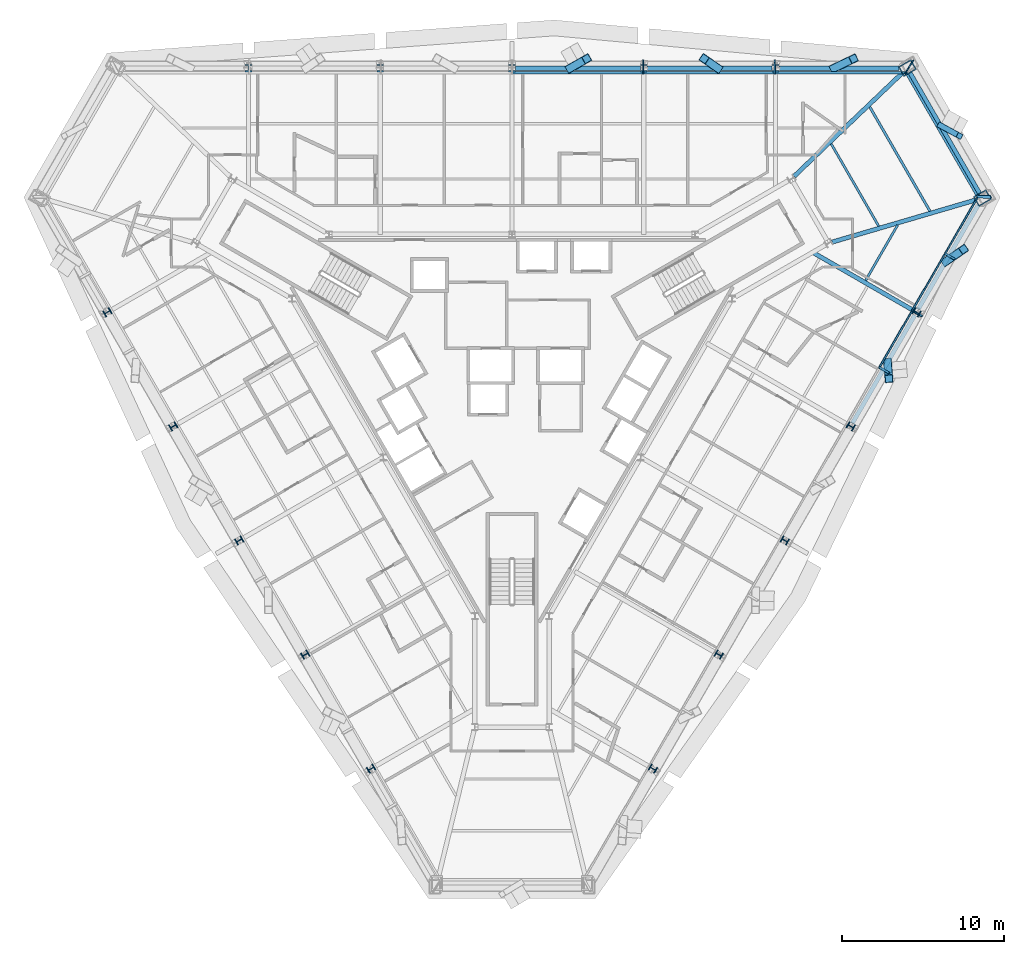
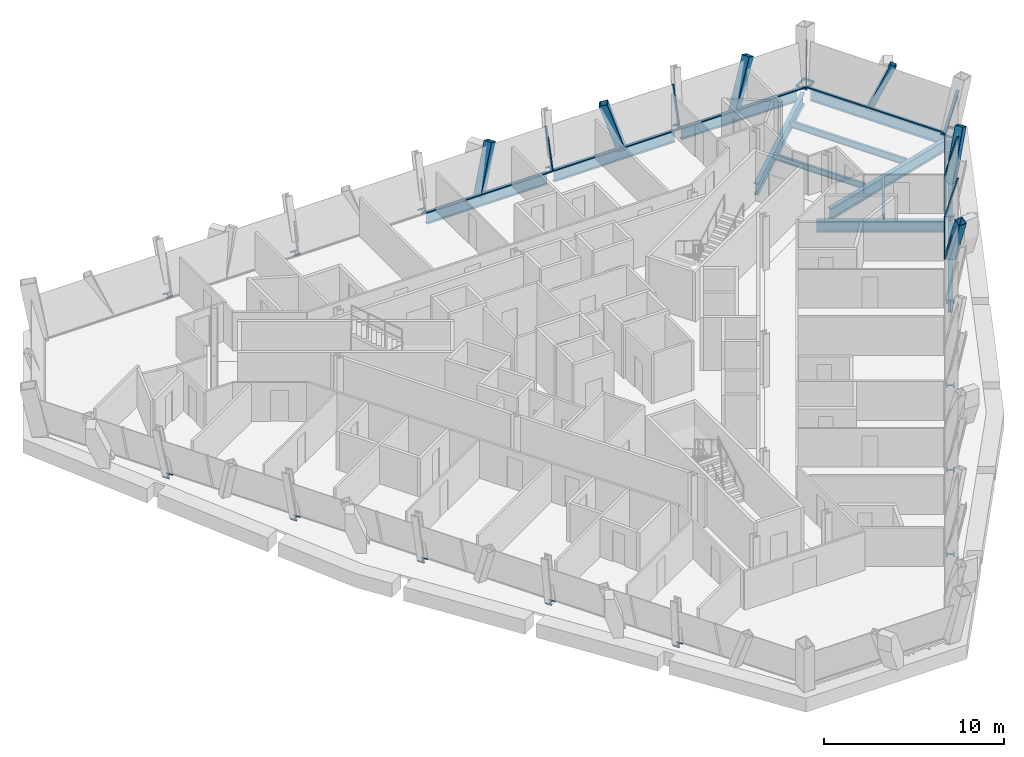
# One storey, part 6 of 14: 37 members, 12 beams, 3 elements without a shape of their own.
"""IFC4 building model written with IfcOpenShell, lengths in metres."""

from ifc_helpers import new_model, si_unit, direction, frame, origin, origin_2d, place, context, subcontext, project, spatial, rectangle, hollow_rectangle, i_section, extrude, material, material_profile, profile_set, type_object, element, aggregate, save


model = new_model("IFC4")

# Units and contexts
model_context = context("Model", 3, precision=1e-05, world=origin(), true_north=direction((0.0, 1.0)))
body_context = subcontext(model_context, "Body", "Model", "MODEL_VIEW")
ifc_project = project(units=[si_unit("LENGTHUNIT", "METRE"), si_unit("AREAUNIT", "SQUARE_METRE"), si_unit("VOLUMEUNIT", "CUBIC_METRE"), si_unit("PLANEANGLEUNIT", "RADIAN"), si_unit("MASSUNIT", "GRAM", prefix="KILO")], contexts=[model_context])

# Site, building, storey
site_placement = place(None, origin())
site = spatial("IfcSite", under=ifc_project, at=site_placement, CompositionType="ELEMENT")
building_placement = place(site_placement, origin())
building = spatial("IfcBuilding", under=site, at=building_placement, Name="Verrane Prism Tower", CompositionType="ELEMENT")
storey_placement = place(building_placement, frame((0.0, 0.0, 128.800048828125)))
storey = spatial("IfcBuildingStorey", under=building, at=storey_placement, Name="L31", CompositionType="ELEMENT", Elevation=128.800048828125)

# Member
ifc_material_1 = material(Name="Steel A500 Grade C", Category="steel")
ifc_material_profile_1 = material_profile(ifc_material_1, hollow_rectangle(XDim=0.355712890625, YDim=0.355712890625, WallThickness=0.0126953125, InnerFilletRadius=0.00634765625, OuterFilletRadius=0.01904296875, at=origin_2d()), Name="HSS14x14x1/2")
ifc_profile_set_1 = profile_set([ifc_material_profile_1], Name="Steel A500 Grade C")
member_type_1 = type_object("IfcMemberType", Name="Chamfer brace HSS14x14x1/2", PredefinedType="BRACE", material=ifc_profile_set_1)
member_1_placement = place(storey_placement, frame((26.51611328125, 15.94482421875, -0.2451171875), z_axis=(0.360232202737, -0.197238249277, 0.911772906558), x_axis=(0.480255117937, 0.87712885125, 0.0)))
element("IfcMember", 1, at=member_1_placement, inside=storey, type_object=member_type_1, Name="Chamfer brace NE0 L31", PredefinedType="BRACE", context=body_context, shape_type="SweptSolid", body=[
    extrude(hollow_rectangle(XDim=0.355712890625, YDim=0.355712890625, WallThickness=0.0126953125, InnerFilletRadius=0.00634765625, OuterFilletRadius=0.01904296875, at=origin_2d()), origin(), (0.0, 0.0, 1.0), 3.293701171875),
])

# Beams
ifc_material_2 = material(Name="Steel A992", Category="steel")
ifc_material_profile_2 = material_profile(ifc_material_2, i_section(OverallWidth=0.2666015625, OverallDepth=0.76708984375, WebThickness=0.014892578125, FlangeThickness=0.023681640625, FilletRadius=0.0166015625, at=origin_2d()), Name="W30x124")
ifc_profile_set_2 = profile_set([ifc_material_profile_2], Name="Steel A992")
beam_type_1 = type_object("IfcBeamType", Name="Chamfer spandrel beam W30x124", PredefinedType="SPANDREL", material=ifc_profile_set_2)
beam_1_placement = place(storey_placement, frame((28.93505859375, 11.753173828125, -0.54345703125), z_axis=(-0.499834903175, 0.866120701501, 0.0), x_axis=(-0.866120701501, -0.499834903175, 0.0)))
element("IfcBeam", 2, at=beam_1_placement, inside=storey, type_object=beam_type_1, Name="Chamfer spandrel beam L31", PredefinedType="SPANDREL", context=body_context, shape_type="SweptSolid", body=[
    extrude(i_section(OverallWidth=0.2666015625, OverallDepth=0.76708984375, WebThickness=0.014892578125, FlangeThickness=0.023681640625, FilletRadius=0.0166015625, at=origin_2d()), origin(), (0.0, 0.0, 1.0), 8.5830078125),
])
ifc_material_3 = material(Name="Steel A992", Category="steel")
ifc_material_profile_3 = material_profile(ifc_material_3, i_section(OverallWidth=0.2666015625, OverallDepth=0.76708984375, WebThickness=0.014892578125, FlangeThickness=0.023681640625, FilletRadius=0.0166015625, at=origin_2d()), Name="W30x124")
ifc_profile_set_3 = profile_set([ifc_material_profile_3], Name="Steel A992")
beam_type_2 = type_object("IfcBeamType", Name="Corner girder W30x124", PredefinedType="BEAM", material=ifc_profile_set_3)
beam_2_placement = place(storey_placement, frame((28.66552734375, 11.319580078125, -0.603515625), z_axis=(-0.959558305514, -0.281509961313, 0.0), x_axis=(0.281509961313, -0.959558305514, 0.0)))
element("IfcBeam", 3, at=beam_2_placement, inside=storey, type_object=beam_type_2, Name="Corner girder L31", PredefinedType="BEAM", context=body_context, shape_type="SweptSolid", body=[
    extrude(i_section(OverallWidth=0.2666015625, OverallDepth=0.76708984375, WebThickness=0.014892578125, FlangeThickness=0.023681640625, FilletRadius=0.0166015625, at=origin_2d()), origin(), (0.0, 0.0, 1.0), 9.22412109375),
])
beam_3_placement = place(storey_placement, frame((24.135009765625, 19.170166015625, -0.603515625), z_axis=(-0.723045594002, -0.690800310506, 0.0), x_axis=(0.690800310506, -0.723045594002, 0.0)))
element("IfcBeam", 4, at=beam_3_placement, inside=storey, type_object=beam_type_2, Name="Corner girder L31", PredefinedType="BEAM", context=body_context, shape_type="SweptSolid", body=[
    extrude(i_section(OverallWidth=0.2666015625, OverallDepth=0.76708984375, WebThickness=0.014892578125, FlangeThickness=0.023681640625, FilletRadius=0.0166015625, at=origin_2d()), origin(), (0.0, 0.0, 1.0), 9.2294921875),
])

# Members
ifc_material_4 = material(Name="Steel A1085 Grade A", Category="steel")
ifc_material_profile_4 = material_profile(ifc_material_4, hollow_rectangle(XDim=0.508056640625, YDim=0.508056640625, WallThickness=0.025390625, InnerFilletRadius=0.0126953125, OuterFilletRadius=0.0380859375, at=origin_2d()), Name="HSS20x20x1")
ifc_profile_set_4 = profile_set([ifc_material_profile_4], Name="Steel A1085 Grade A")
member_type_2 = type_object("IfcMemberType", Name="Facade brace HSS20x20x1", PredefinedType="BRACE", material=ifc_profile_set_4)
member_2_placement = place(storey_placement, frame((19.927001953125, 19.489990234375, -0.24267578125), z_axis=(0.369092947776, 0.17632630591, 0.912512701142), x_axis=(-0.431064681297, 0.902321029644, 0.0)))
element("IfcMember", 5, at=member_2_placement, inside=storey, type_object=member_type_2, Name="Facade brace N0 L31", PredefinedType="BRACE", context=body_context, shape_type="SweptSolid", body=[
    extrude(hollow_rectangle(XDim=0.508056640625, YDim=0.508056640625, WallThickness=0.025390625, InnerFilletRadius=0.0126953125, OuterFilletRadius=0.0380859375, at=origin_2d()), origin(), (0.0, 0.0, 1.0), 3.296630859375),
])
member_3_placement = place(storey_placement, frame((12.734375, 19.489990234375, -0.24267578125), z_axis=(-0.264711269754, 0.182954291229, 0.946813429872), x_axis=(-0.568564109327, -0.822638957007, 0.0)))
element("IfcMember", 6, at=member_3_placement, inside=storey, type_object=member_type_2, Name="Facade brace N1 L31", PredefinedType="BRACE", context=body_context, shape_type="SweptSolid", body=[
    extrude(hollow_rectangle(XDim=0.508056640625, YDim=0.508056640625, WallThickness=0.025390625, InnerFilletRadius=0.0126953125, OuterFilletRadius=0.0380859375, at=origin_2d()), origin(), (0.0, 0.0, 1.0), 3.17724609375),
])
member_4_placement = place(storey_placement, frame((3.597900390625, 19.489990234375, -0.24267578125), z_axis=(0.317498365882, 0.179905666151, 0.931036378961), x_axis=(-0.492991675049, 0.870034027112, 0.0)))
element("IfcMember", 7, at=member_4_placement, inside=storey, type_object=member_type_2, Name="Facade brace N2 L31", PredefinedType="BRACE", context=body_context, shape_type="SweptSolid", body=[
    extrude(hollow_rectangle(XDim=0.508056640625, YDim=0.508056640625, WallThickness=0.025390625, InnerFilletRadius=0.0126953125, OuterFilletRadius=0.0380859375, at=origin_2d()), origin(), (0.0, 0.0, 1.0), 3.231201171875),
])
member_5_placement = place(storey_placement, frame((23.250244140625, 1.282958984375, -0.24267578125), z_axis=(0.025523542631, -0.319351795444, 0.94729244667), x_axis=(0.996821379696, 0.079668921054, 0.0)))
element("IfcMember", 8, at=member_5_placement, inside=storey, type_object=member_type_2, Name="Facade brace SE4 L31", PredefinedType="BRACE", context=body_context, shape_type="SweptSolid", body=[
    extrude(hollow_rectangle(XDim=0.508056640625, YDim=0.508056640625, WallThickness=0.025390625, InnerFilletRadius=0.0126953125, OuterFilletRadius=0.0380859375, at=origin_2d()), origin(), (0.0, 0.0, 1.0), 3.17578125),
])
member_6_placement = place(storey_placement, frame((26.843994140625, 7.513671875, -0.24267578125), z_axis=(0.336716788974, 0.231613154228, 0.912675819123), x_axis=(-0.566728792103, 0.823904409626, 0.0)))
element("IfcMember", 9, at=member_6_placement, inside=storey, type_object=member_type_2, Name="Facade brace SE5 L31", PredefinedType="BRACE", context=body_context, shape_type="SweptSolid", body=[
    extrude(hollow_rectangle(XDim=0.508056640625, YDim=0.508056640625, WallThickness=0.025390625, InnerFilletRadius=0.0126953125, OuterFilletRadius=0.0380859375, at=origin_2d()), origin(), (0.0, 0.0, 1.0), 3.296142578125),
])

# Beams
ifc_material_5 = material(Name="Steel A992", Category="steel")
ifc_material_profile_5 = material_profile(ifc_material_5, i_section(OverallWidth=0.140380859375, OverallDepth=0.40380859375, WebThickness=0.007080078125, FlangeThickness=0.01123046875, FilletRadius=0.01025390625, at=origin_2d()), Name="W16x31")
ifc_profile_set_5 = profile_set([ifc_material_profile_5], Name="Steel A992")
beam_type_3 = type_object("IfcBeamType", Name="Floor beam W16x31", PredefinedType="BEAM", material=ifc_profile_set_5)
beam_4_placement = place(storey_placement, frame((21.891845703125, 6.3505859375, -0.362060546875), z_axis=(0.499986281351, 0.866033324105, 0.0), x_axis=(-0.866033324105, 0.499986281351, 0.0)))
element("IfcBeam", 10, at=beam_4_placement, inside=storey, type_object=beam_type_3, Name="Floor beam L31", PredefinedType="BEAM", context=body_context, shape_type="SweptSolid", body=[
    extrude(i_section(OverallWidth=0.140380859375, OverallDepth=0.40380859375, WebThickness=0.007080078125, FlangeThickness=0.01123046875, FilletRadius=0.01025390625, at=origin_2d()), origin(), (0.0, 0.0, 1.0), 3.95166015625),
])
beam_5_placement = place(storey_placement, frame((22.70068359375, 9.708740234375, -0.362060546875), z_axis=(-0.500003813253, 0.866023202191, 0.0), x_axis=(-0.866023202191, -0.500003813253, 0.0)))
element("IfcBeam", 11, at=beam_5_placement, inside=storey, type_object=beam_type_3, Name="Floor beam L31", PredefinedType="BEAM", context=body_context, shape_type="SweptSolid", body=[
    extrude(i_section(OverallWidth=0.140380859375, OverallDepth=0.40380859375, WebThickness=0.007080078125, FlangeThickness=0.01123046875, FilletRadius=0.01025390625, at=origin_2d()), origin(), (0.0, 0.0, 1.0), 5.8837890625),
])
ifc_material_6 = material(Name="Steel A992", Category="steel")
ifc_material_profile_6 = material_profile(ifc_material_6, i_section(OverallWidth=0.15234375, OverallDepth=0.449462890625, WebThickness=0.007568359375, FlangeThickness=0.0107421875, FilletRadius=0.01025390625, at=origin_2d()), Name="W18x35")
ifc_profile_set_6 = profile_set([ifc_material_profile_6], Name="Steel A992")
beam_type_4 = type_object("IfcBeamType", Name="Floor beam W18x35", PredefinedType="BEAM", material=ifc_profile_set_6)
beam_6_placement = place(storey_placement, frame((25.871826171875, 10.63916015625, -0.384765625), z_axis=(-0.500011000363, 0.866019052629, 0.0), x_axis=(-0.866019052629, -0.500011000363, 0.0)))
element("IfcBeam", 12, at=beam_6_placement, inside=storey, type_object=beam_type_4, Name="Floor beam L31", PredefinedType="BEAM", context=body_context, shape_type="SweptSolid", body=[
    extrude(i_section(OverallWidth=0.15234375, OverallDepth=0.449462890625, WebThickness=0.007568359375, FlangeThickness=0.0107421875, FilletRadius=0.01025390625, at=origin_2d()), origin(), (0.0, 0.0, 1.0), 7.446044921875),
])

# Members
ifc_material_7 = material(Name="Steel A572 Grade 50", Category="steel")
ifc_material_profile_7 = material_profile(ifc_material_7, hollow_rectangle(XDim=0.699951171875, YDim=0.89990234375, WallThickness=0.06494140625, at=origin_2d()), Name="BOX 900x700x65")
ifc_profile_set_7 = profile_set([ifc_material_profile_7], Name="Steel A572 Grade 50")
member_type_3 = type_object("IfcMemberType", Name="Kink node BOX 900x700x65", PredefinedType="COLLAR", material=ifc_profile_set_7)
for number, where, z_axis, x_axis, name in (
    (13, (29.118408203125, 11.449951171875, -0.074951171875), (0.0, 0.0, 1.0), (0.5, -0.866025403784, 0.0), "Kink node MC3 L31"),
    (14, (24.47412109375, 19.497314453125, -0.074951171875), (0.0, 0.0, 1.0), (0.5, -0.866025403784, 0.0), "Kink node MC3 L31"),
):
    element("IfcMember", number, at=place(storey_placement, frame(where, z_axis=z_axis, x_axis=x_axis)), inside=storey, type_object=member_type_3, Name=name, PredefinedType="COLLAR", context=body_context, shape_type="SweptSolid", body=[
        extrude(hollow_rectangle(XDim=0.699951171875, YDim=0.89990234375, WallThickness=0.06494140625, at=origin_2d()), origin(), (0.0, 0.0, 1.0), 0.14990234375),
    ])
ifc_material_8 = material(Name="Steel A992", Category="steel")
ifc_material_profile_8 = material_profile(ifc_material_8, i_section(OverallWidth=0.419189453125, OverallDepth=0.45458984375, WebThickness=0.042236328125, FlangeThickness=0.067626953125, FilletRadius=0.01513671875, at=origin_2d()), Name="W14x370")
ifc_profile_set_8 = profile_set([ifc_material_profile_8], Name="Steel A992")
member_type_4 = type_object("IfcMemberType", Name="Kink node W14x370", PredefinedType="COLLAR", material=ifc_profile_set_8)
for number, where, z_axis, x_axis, name in (
    (15, (16.3115234375, 19.493896484375, -0.0400390625), (0.0, 0.0, 1.0), (1.0, 0.0, 0.0), "Kink node PC5 L31"),
    (16, (8.16064453125, 19.493896484375, -0.0400390625), (0.0, 0.0, 1.0), (1.0, 0.0, 0.0), "Kink node PC5 L31"),
):
    element("IfcMember", number, at=place(storey_placement, frame(where, z_axis=z_axis, x_axis=x_axis)), inside=storey, type_object=member_type_4, Name=name, PredefinedType="COLLAR", context=body_context, shape_type="SweptSolid", body=[
        extrude(i_section(OverallWidth=0.419189453125, OverallDepth=0.45458984375, WebThickness=0.042236328125, FlangeThickness=0.067626953125, FilletRadius=0.01513671875, at=origin_2d()), origin(), (0.0, 0.0, 1.0), 0.080078125),
    ])
member_7_placement = place(storey_placement, frame((0.0, 19.493408203125, -0.03515625), z_axis=(0.0, 0.0, 1.0), x_axis=(1.0, 0.0, 0.0)))
element("IfcMember", 17, at=member_7_placement, inside=storey, type_object=member_type_4, Name="Kink node PC5 L31", PredefinedType="COLLAR", context=body_context, shape_type="SweptSolid", body=[
    extrude(i_section(OverallWidth=0.419189453125, OverallDepth=0.45458984375, WebThickness=0.042236328125, FlangeThickness=0.067626953125, FilletRadius=0.01513671875, at=origin_2d()), origin(), (0.0, 0.0, 1.0), 0.070068359375),
])
for number, where, z_axis, x_axis, name in (
    (18, (-8.16064453125, 19.493896484375, -0.0400390625), (0.0, 0.0, 1.0), (1.0, 0.0, 0.0), "Kink node PC5 L31"),
    (19, (-16.3115234375, 19.493896484375, -0.0400390625), (0.0, 0.0, 1.0), (1.0, 0.0, 0.0), "Kink node PC5 L31"),
    (20, (8.72265625, -23.873291015625, -0.0400390625), (0.0, 0.0, 1.0), (-0.5, -0.866025403784, 0.0), "Kink node PC5 L31"),
    (21, (12.802978515625, -16.8125, -0.0400390625), (0.0, 0.0, 1.0), (-0.5, -0.866025403784, 0.0), "Kink node PC5 L31"),
):
    element("IfcMember", number, at=place(storey_placement, frame(where, z_axis=z_axis, x_axis=x_axis)), inside=storey, type_object=member_type_4, Name=name, PredefinedType="COLLAR", context=body_context, shape_type="SweptSolid", body=[
        extrude(i_section(OverallWidth=0.419189453125, OverallDepth=0.45458984375, WebThickness=0.042236328125, FlangeThickness=0.067626953125, FilletRadius=0.01513671875, at=origin_2d()), origin(), (0.0, 0.0, 1.0), 0.080078125),
    ])
member_8_placement = place(storey_placement, frame((16.883056640625, -9.74169921875, -0.03515625), z_axis=(0.0, 0.0, 1.0), x_axis=(-0.5, -0.866025403784, 0.0)))
element("IfcMember", 22, at=member_8_placement, inside=storey, type_object=member_type_4, Name="Kink node PC5 L31", PredefinedType="COLLAR", context=body_context, shape_type="SweptSolid", body=[
    extrude(i_section(OverallWidth=0.419189453125, OverallDepth=0.45458984375, WebThickness=0.042236328125, FlangeThickness=0.067626953125, FilletRadius=0.01513671875, at=origin_2d()), origin(), (0.0, 0.0, 1.0), 0.070068359375),
])
for number, where, z_axis, x_axis, name in (
    (23, (20.963623046875, -2.681396484375, -0.0400390625), (0.0, 0.0, 1.0), (-0.5, -0.866025403784, 0.0), "Kink node PC5 L31"),
    (24, (25.044189453125, 4.37939453125, -0.0400390625), (0.0, 0.0, 1.0), (-0.5, -0.866025403784, 0.0), "Kink node PC5 L31"),
    (25, (-25.044189453125, 4.37939453125, -0.0400390625), (0.0, 0.0, 1.0), (-0.5, 0.866025403784, 0.0), "Kink node PC5 L31"),
    (26, (-20.963623046875, -2.681396484375, -0.0400390625), (0.0, 0.0, 1.0), (-0.5, 0.866025403784, 0.0), "Kink node PC5 L31"),
):
    element("IfcMember", number, at=place(storey_placement, frame(where, z_axis=z_axis, x_axis=x_axis)), inside=storey, type_object=member_type_4, Name=name, PredefinedType="COLLAR", context=body_context, shape_type="SweptSolid", body=[
        extrude(i_section(OverallWidth=0.419189453125, OverallDepth=0.45458984375, WebThickness=0.042236328125, FlangeThickness=0.067626953125, FilletRadius=0.01513671875, at=origin_2d()), origin(), (0.0, 0.0, 1.0), 0.080078125),
    ])
member_9_placement = place(storey_placement, frame((-16.883056640625, -9.74169921875, -0.03515625), z_axis=(0.0, 0.0, 1.0), x_axis=(-0.5, 0.866025403784, 0.0)))
element("IfcMember", 27, at=member_9_placement, inside=storey, type_object=member_type_4, Name="Kink node PC5 L31", PredefinedType="COLLAR", context=body_context, shape_type="SweptSolid", body=[
    extrude(i_section(OverallWidth=0.419189453125, OverallDepth=0.45458984375, WebThickness=0.042236328125, FlangeThickness=0.067626953125, FilletRadius=0.01513671875, at=origin_2d()), origin(), (0.0, 0.0, 1.0), 0.070068359375),
])
for number, where, z_axis, x_axis, name in (
    (28, (-12.802978515625, -16.8125, -0.0400390625), (0.0, 0.0, 1.0), (-0.5, 0.866025403784, 0.0), "Kink node PC5 L31"),
    (29, (-8.72265625, -23.873291015625, -0.0400390625), (0.0, 0.0, 1.0), (-0.5, 0.866025403784, 0.0), "Kink node PC5 L31"),
):
    element("IfcMember", number, at=place(storey_placement, frame(where, z_axis=z_axis, x_axis=x_axis)), inside=storey, type_object=member_type_4, Name=name, PredefinedType="COLLAR", context=body_context, shape_type="SweptSolid", body=[
        extrude(i_section(OverallWidth=0.419189453125, OverallDepth=0.45458984375, WebThickness=0.042236328125, FlangeThickness=0.067626953125, FilletRadius=0.01513671875, at=origin_2d()), origin(), (0.0, 0.0, 1.0), 0.080078125),
    ])

# Curtain wall, members
ifc_material_9 = material(Name="Aluminium framed insulated glazing", Category="aluminium")
curtain_wall_type_1 = type_object("IfcCurtainWallType", Name="Curtain wall CW-C 4200 module", PredefinedType="NOTDEFINED", material=ifc_material_9)
curtain_wall_1_placement = place(storey_placement, origin())
curtain_wall_1 = element("IfcCurtainWall", 30, at=curtain_wall_1_placement, inside=storey, type_object=curtain_wall_type_1, Name="Glazed curtain wall south-east face L31", PredefinedType="NOTDEFINED")
ifc_material_10 = material(Name="Aluminium alloy 6063-T6", Category="aluminium")
ifc_material_profile_9 = material_profile(ifc_material_10, rectangle(XDim=0.139892578125, YDim=0.050048828125, at=origin_2d()), Name="Mullion 50x140 aluminium")
ifc_profile_set_9 = profile_set([ifc_material_profile_9], Name="Aluminium alloy 6063-T6")
member_type_5 = type_object("IfcMemberType", Name="Mullion 50x140 aluminium", PredefinedType="MULLION", material=ifc_profile_set_9)
member_10_placement = place(storey_placement, frame((22.73681640625, 0.95947265625, 0.0), z_axis=(0.224108381383, -0.129428682603, 0.965931493178), x_axis=(-0.851340840511, -0.508404048805, 0.129398981592)))
member_10 = element("IfcMember", 31, at=member_10_placement, type_object=member_type_5, Name="CW29.6 mullion 10", PredefinedType="MULLION", context=body_context, shape_type="SweptSolid", body=[
    extrude(rectangle(XDim=0.139892578125, YDim=0.050048828125, at=origin_2d()), origin(), (0.0, 0.0, 1.0), 2.704833984375),
])
member_11_placement = place(storey_placement, frame((24.77001953125, 4.48095703125, 0.0), z_axis=(0.224110998518, -0.129339935915, 0.965942773316), x_axis=(-0.851192117884, -0.508658362724, 0.129377928885)))
member_11 = element("IfcMember", 32, at=member_11_placement, type_object=member_type_5, Name="CW29.6 mullion 11", PredefinedType="MULLION", context=body_context, shape_type="SweptSolid", body=[
    extrude(rectangle(XDim=0.139892578125, YDim=0.050048828125, at=origin_2d()), origin(), (0.0, 0.0, 1.0), 2.704833984375),
])
member_12_placement = place(storey_placement, frame((26.80322265625, 8.002685546875, 0.0), z_axis=(0.224108381383, -0.129428682603, 0.965931493178), x_axis=(-0.851340840511, -0.508404048805, 0.129398981592)))
member_12 = element("IfcMember", 33, at=member_12_placement, type_object=member_type_5, Name="CW29.6 mullion 12", PredefinedType="MULLION", context=body_context, shape_type="SweptSolid", body=[
    extrude(rectangle(XDim=0.139892578125, YDim=0.050048828125, at=origin_2d()), origin(), (0.0, 0.0, 1.0), 2.704833984375),
])

# Curtain wall, member
ifc_material_11 = material(Name="Aluminium framed insulated glazing", Category="aluminium")
curtain_wall_type_2 = type_object("IfcCurtainWallType", Name="Curtain wall CW-A 8400 module", PredefinedType="NOTDEFINED", material=ifc_material_11)
curtain_wall_2_placement = place(storey_placement, origin())
curtain_wall_2 = element("IfcCurtainWall", 34, at=curtain_wall_2_placement, inside=storey, type_object=curtain_wall_type_2, Name="Glazed curtain wall north-east corner L31", PredefinedType="NOTDEFINED")
ifc_material_12 = material(Name="Aluminium alloy 6063-T6", Category="aluminium")
ifc_material_profile_10 = material_profile(ifc_material_12, rectangle(XDim=0.199951171875, YDim=0.070068359375, at=origin_2d()), Name="Mullion 70x200 aluminium")
ifc_profile_set_10 = profile_set([ifc_material_profile_10], Name="Aluminium alloy 6063-T6")
member_type_6 = type_object("IfcMemberType", Name="Mullion 70x200 aluminium", PredefinedType="MULLION", material=ifc_profile_set_10)
member_13_placement = place(storey_placement, frame((28.819091796875, 11.5546875, 0.0), z_axis=(0.30139012254, -0.01104711061, 0.953436917359), x_axis=(0.44467516724, -0.882906917657, -0.150795790372)))
member_13 = element("IfcMember", 35, at=member_13_placement, type_object=member_type_6, Name="CW29.1 mullion 1", PredefinedType="MULLION", context=body_context, shape_type="SweptSolid", body=[
    extrude(rectangle(XDim=0.199951171875, YDim=0.070068359375, at=origin_2d()), origin(), (0.0, 0.0, 1.0), 2.740478515625),
])

# Curtain wall, members
curtain_wall_3_placement = place(storey_placement, origin())
curtain_wall_3 = element("IfcCurtainWall", 36, at=curtain_wall_3_placement, inside=storey, type_object=curtain_wall_type_2, Name="Glazed curtain wall north face L31", PredefinedType="NOTDEFINED")
member_14_placement = place(storey_placement, frame((24.363525390625, 19.2109375, 0.0), z_axis=(0.160361522337, 0.25542026919, 0.953438340031), x_axis=(0.506965844942, 0.807483931916, -0.301588016604)))
member_14 = element("IfcMember", 37, at=member_14_placement, type_object=member_type_6, Name="CW29.2 mullion 1", PredefinedType="MULLION", context=body_context, shape_type="SweptSolid", body=[
    extrude(rectangle(XDim=0.199951171875, YDim=0.070068359375, at=origin_2d()), origin(), (0.0, 0.0, 1.0), 2.740478515625),
])
member_15_placement = place(storey_placement, frame((16.265625, 19.2109375, 0.0), z_axis=(0.0, 0.25876916976, 0.965939188967), x_axis=(0.0, 0.965939188967, -0.25876916976)))
member_15 = element("IfcMember", 38, at=member_15_placement, type_object=member_type_6, Name="CW29.2 mullion 2", PredefinedType="MULLION", context=body_context, shape_type="SweptSolid", body=[
    extrude(rectangle(XDim=0.199951171875, YDim=0.070068359375, at=origin_2d()), origin(), (0.0, 0.0, 1.0), 2.704833984375),
])
member_16_placement = place(storey_placement, frame((8.1328125, 19.2109375, 0.0), z_axis=(0.0, 0.25876916976, 0.965939188967), x_axis=(0.0, 0.965939188967, -0.25876916976)))
member_16 = element("IfcMember", 39, at=member_16_placement, type_object=member_type_6, Name="CW29.2 mullion 3", PredefinedType="MULLION", context=body_context, shape_type="SweptSolid", body=[
    extrude(rectangle(XDim=0.199951171875, YDim=0.070068359375, at=origin_2d()), origin(), (0.0, 0.0, 1.0), 2.704833984375),
])

# Beams
ifc_material_13 = material(Name="Steel A992", Category="steel")
ifc_material_profile_11 = material_profile(ifc_material_13, i_section(OverallWidth=0.2666015625, OverallDepth=0.76708984375, WebThickness=0.014892578125, FlangeThickness=0.023681640625, FilletRadius=0.0166015625, at=origin_2d()), Name="W30x124")
ifc_profile_set_11 = profile_set([ifc_material_profile_11], Name="Steel A992")
beam_type_5 = type_object("IfcBeamType", Name="Radial girder W30x124", PredefinedType="BEAM", material=ifc_profile_set_11)
beam_7_placement = place(storey_placement, frame((24.843017578125, 4.49365234375, -0.603515625), z_axis=(-0.866018882953, 0.500011294241, 0.0), x_axis=(-0.500011294241, -0.866018882953, 0.0)))
element("IfcBeam", 40, at=beam_7_placement, inside=storey, type_object=beam_type_5, Name="Radial girder L31", PredefinedType="BEAM", context=body_context, shape_type="SweptSolid", body=[
    extrude(i_section(OverallWidth=0.2666015625, OverallDepth=0.76708984375, WebThickness=0.014892578125, FlangeThickness=0.023681640625, FilletRadius=0.0166015625, at=origin_2d()), origin(), (0.0, 0.0, 1.0), 7.194580078125),
])
ifc_material_14 = material(Name="Steel A992", Category="steel")
ifc_material_profile_12 = material_profile(ifc_material_14, i_section(OverallWidth=0.2666015625, OverallDepth=0.7568359375, WebThickness=0.013916015625, FlangeThickness=0.019287109375, FilletRadius=0.0166015625, at=origin_2d()), Name="W30x108")
ifc_profile_set_12 = profile_set([ifc_material_profile_12], Name="Steel A992")
beam_type_6 = type_object("IfcBeamType", Name="Spandrel beam W30x108", PredefinedType="SPANDREL", material=ifc_profile_set_12)
beam_8_placement = place(storey_placement, frame((23.950439453125, 19.489990234375, -0.53857421875), z_axis=(-1.0, 0.0, 0.0), x_axis=(0.0, -1.0, 0.0)))
element("IfcBeam", 41, at=beam_8_placement, inside=storey, type_object=beam_type_6, Name="Spandrel beam L31", PredefinedType="SPANDREL", context=body_context, shape_type="SweptSolid", body=[
    extrude(i_section(OverallWidth=0.2666015625, OverallDepth=0.7568359375, WebThickness=0.013916015625, FlangeThickness=0.019287109375, FilletRadius=0.0166015625, at=origin_2d()), origin(), (0.0, 0.0, 1.0), 7.430908203125),
])
beam_9_placement = place(storey_placement, frame((16.100341796875, 19.489990234375, -0.53857421875), z_axis=(-1.0, 0.0, 0.0), x_axis=(0.0, -1.0, 0.0)))
element("IfcBeam", 42, at=beam_9_placement, inside=storey, type_object=beam_type_6, Name="Spandrel beam L31", PredefinedType="SPANDREL", context=body_context, shape_type="SweptSolid", body=[
    extrude(i_section(OverallWidth=0.2666015625, OverallDepth=0.7568359375, WebThickness=0.013916015625, FlangeThickness=0.019287109375, FilletRadius=0.0166015625, at=origin_2d()), origin(), (0.0, 0.0, 1.0), 7.730712890625),
])
beam_10_placement = place(storey_placement, frame((7.950439453125, 19.489990234375, -0.53857421875), z_axis=(-1.0, 0.0, 0.0), x_axis=(0.0, -1.0, 0.0)))
element("IfcBeam", 43, at=beam_10_placement, inside=storey, type_object=beam_type_6, Name="Spandrel beam L31", PredefinedType="SPANDREL", context=body_context, shape_type="SweptSolid", body=[
    extrude(i_section(OverallWidth=0.2666015625, OverallDepth=0.7568359375, WebThickness=0.013916015625, FlangeThickness=0.019287109375, FilletRadius=0.0166015625, at=origin_2d()), origin(), (0.0, 0.0, 1.0), 7.740966796875),
])
beam_11_placement = place(storey_placement, frame((21.06494140625, -2.49853515625, -0.53857421875), z_axis=(0.500348062424, 0.86582435657, 0.0), x_axis=(-0.86582435657, 0.500348062424, 0.0)))
element("IfcBeam", 44, at=beam_11_placement, inside=storey, type_object=beam_type_6, Name="Spandrel beam L31", PredefinedType="SPANDREL", context=body_context, shape_type="SweptSolid", body=[
    extrude(i_section(OverallWidth=0.2666015625, OverallDepth=0.7568359375, WebThickness=0.013916015625, FlangeThickness=0.019287109375, FilletRadius=0.0166015625, at=origin_2d()), origin(), (0.0, 0.0, 1.0), 7.73486328125),
])
beam_12_placement = place(storey_placement, frame((25.14453125, 4.5615234375, -0.53857421875), z_axis=(0.498911336426, 0.866653032294, 0.0), x_axis=(-0.866653032294, 0.498911336426, 0.0)))
element("IfcBeam", 45, at=beam_12_placement, inside=storey, type_object=beam_type_6, Name="Spandrel beam L31", PredefinedType="SPANDREL", context=body_context, shape_type="SweptSolid", body=[
    extrude(i_section(OverallWidth=0.2666015625, OverallDepth=0.7568359375, WebThickness=0.013916015625, FlangeThickness=0.019287109375, FilletRadius=0.0166015625, at=origin_2d()), origin(), (0.0, 0.0, 1.0), 7.42822265625),
])

# Member
ifc_material_15 = material(Name="Aluminium alloy 6063-T6", Category="aluminium")
ifc_material_profile_13 = material_profile(ifc_material_15, rectangle(XDim=0.10009765625, YDim=0.050048828125, at=origin_2d()), Name="Transom 50x100 aluminium")
ifc_profile_set_13 = profile_set([ifc_material_profile_13], Name="Aluminium alloy 6063-T6")
member_type_7 = type_object("IfcMemberType", Name="Transom 50x100 aluminium", PredefinedType="USERDEFINED", material=ifc_profile_set_13)
member_17_placement = place(storey_placement, frame((22.749267578125, 0.98095703125, 0.02490234375), z_axis=(0.499996050563, 0.866027683981, 0.0), x_axis=(-0.866027683981, 0.499996050563, 0.0)))
member_17 = element("IfcMember", 46, at=member_17_placement, type_object=member_type_7, Name="CW29.6 transom 10", ObjectType="TRANSOM", PredefinedType="USERDEFINED", context=body_context, shape_type="SweptSolid", body=[
    extrude(rectangle(XDim=0.10009765625, YDim=0.050048828125, at=origin_2d()), origin(), (0.0, 0.0, 1.0), 4.0166015625),
])

member_18_placement = place(storey_placement, frame((24.782470703125, 4.502685546875, 0.02490234375), z_axis=(0.500022371132, 0.86601248742, 0.0), x_axis=(-0.86601248742, 0.500022371132, 0.0)))
member_18 = element("IfcMember", 47, at=member_18_placement, type_object=member_type_7, Name="CW29.6 transom 11", ObjectType="TRANSOM", PredefinedType="USERDEFINED", context=body_context, shape_type="SweptSolid", body=[
    extrude(rectangle(XDim=0.10009765625, YDim=0.050048828125, at=origin_2d()), origin(), (0.0, 0.0, 1.0), 4.016357421875),
])

member_19_placement = place(storey_placement, frame((26.815673828125, 8.0244140625, 0.02490234375), z_axis=(0.50000482701, 0.866022616891, 0.0), x_axis=(-0.866022616891, 0.50000482701, 0.0)))
member_19 = element("IfcMember", 48, at=member_19_placement, type_object=member_type_7, Name="CW29.6 transom 12", ObjectType="TRANSOM", PredefinedType="USERDEFINED", context=body_context, shape_type="SweptSolid", body=[
    extrude(rectangle(XDim=0.10009765625, YDim=0.050048828125, at=origin_2d()), origin(), (0.0, 0.0, 1.0), 4.04150390625),
])

aggregate(curtain_wall_1, [member_10, member_11, member_12, member_17, member_18, member_19])

ifc_material_16 = material(Name="Aluminium alloy 6063-T6", Category="aluminium")
ifc_material_profile_14 = material_profile(ifc_material_16, rectangle(XDim=0.14990234375, YDim=0.070068359375, at=origin_2d()), Name="Transom 70x150 aluminium")
ifc_profile_set_14 = profile_set([ifc_material_profile_14], Name="Aluminium alloy 6063-T6")
member_type_8 = type_object("IfcMemberType", Name="Transom 70x150 aluminium", PredefinedType="USERDEFINED", material=ifc_profile_set_14)
member_20_placement = place(storey_placement, frame((28.801513671875, 11.5849609375, 0.034912109375), z_axis=(-0.499997650106, 0.866026760492, 0.0), x_axis=(-0.866026760492, -0.499997650106, 0.0)))
member_20 = element("IfcMember", 49, at=member_20_placement, type_object=member_type_8, Name="CW29.1 transom 1", ObjectType="TRANSOM", PredefinedType="USERDEFINED", context=body_context, shape_type="SweptSolid", body=[
    extrude(rectangle(XDim=0.14990234375, YDim=0.070068359375, at=origin_2d()), origin(), (0.0, 0.0, 1.0), 8.8056640625),
])

aggregate(curtain_wall_2, [member_13, member_20])

member_21_placement = place(storey_placement, frame((24.32861328125, 19.2109375, 0.034912109375), z_axis=(-1.0, 0.0, 0.0), x_axis=(0.0, -1.0, 0.0)))
member_21 = element("IfcMember", 50, at=member_21_placement, type_object=member_type_8, Name="CW29.2 transom 1", ObjectType="TRANSOM", PredefinedType="USERDEFINED", context=body_context, shape_type="SweptSolid", body=[
    extrude(rectangle(XDim=0.14990234375, YDim=0.070068359375, at=origin_2d()), origin(), (0.0, 0.0, 1.0), 8.02783203125),
])

member_22_placement = place(storey_placement, frame((16.230712890625, 19.2109375, 0.034912109375), z_axis=(-1.0, 0.0, 0.0), x_axis=(0.0, -1.0, 0.0)))
member_22 = element("IfcMember", 51, at=member_22_placement, type_object=member_type_8, Name="CW29.2 transom 2", ObjectType="TRANSOM", PredefinedType="USERDEFINED", context=body_context, shape_type="SweptSolid", body=[
    extrude(rectangle(XDim=0.14990234375, YDim=0.070068359375, at=origin_2d()), origin(), (0.0, 0.0, 1.0), 8.062744140625),
])

member_23_placement = place(storey_placement, frame((8.097900390625, 19.2109375, 0.034912109375), z_axis=(-1.0, 0.0, 0.0), x_axis=(0.0, -1.0, 0.0)))
member_23 = element("IfcMember", 52, at=member_23_placement, type_object=member_type_8, Name="CW29.2 transom 3", ObjectType="TRANSOM", PredefinedType="USERDEFINED", context=body_context, shape_type="SweptSolid", body=[
    extrude(rectangle(XDim=0.14990234375, YDim=0.070068359375, at=origin_2d()), origin(), (0.0, 0.0, 1.0), 8.06298828125),
])

aggregate(curtain_wall_3, [member_14, member_15, member_16, member_21, member_22, member_23])

save(model, "model.ifc")
